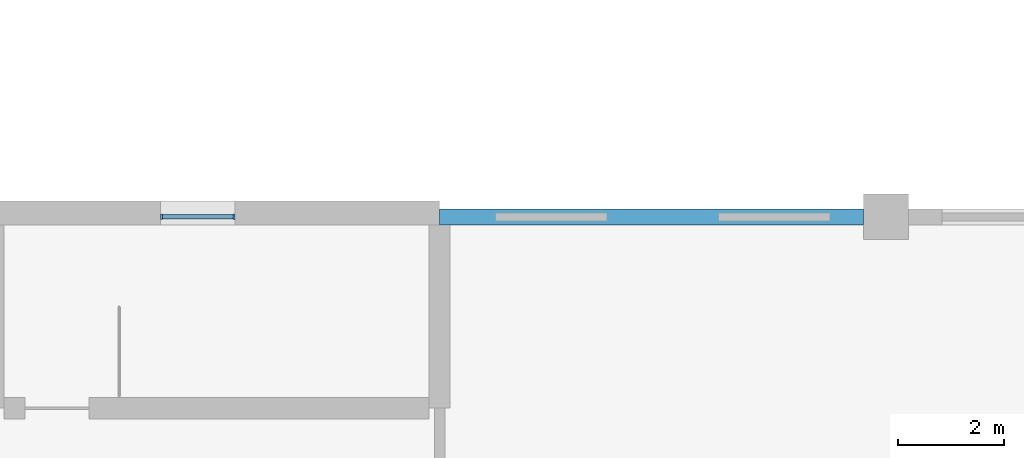
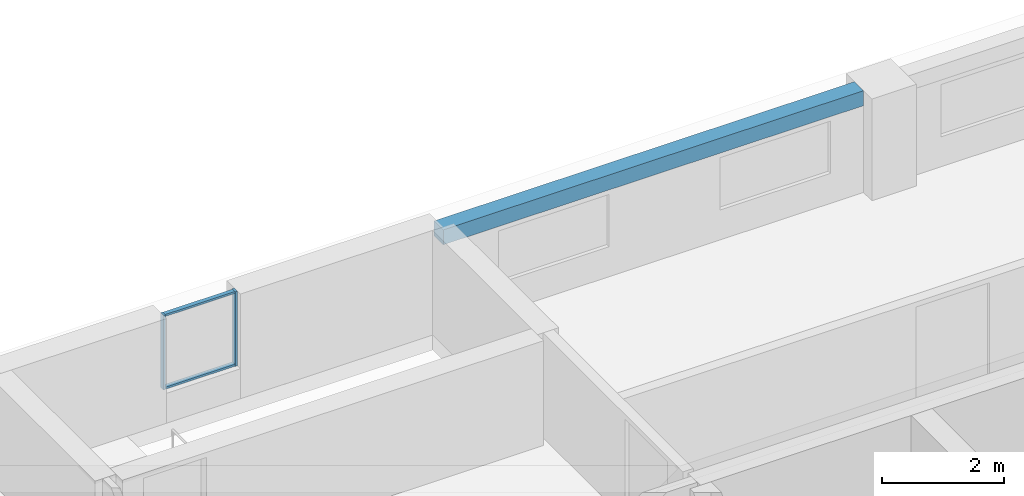
# One storey, part 12 of 48: 4 members, 1 beam, 1 element without a shape of its own.
"""IFC4 building model written with IfcOpenShell, lengths in metres."""

from ifc_helpers import new_model, si_unit, direction, frame, origin, origin_2d, place, context, subcontext, project, spatial, rectangle, extrude, material, material_profile, profile_set, type_object, element, aggregate, save


model = new_model("IFC4")

# Units and contexts
model_context = context("Model", 3, precision=1e-05, world=origin(), true_north=direction((0.0, 1.0)))
body_context = subcontext(model_context, "Body", "Model", "MODEL_VIEW")
ifc_project = project(units=[si_unit("LENGTHUNIT", "METRE"), si_unit("AREAUNIT", "SQUARE_METRE"), si_unit("VOLUMEUNIT", "CUBIC_METRE"), si_unit("PLANEANGLEUNIT", "RADIAN"), si_unit("MASSUNIT", "GRAM", prefix="KILO")], contexts=[model_context])

# Site, building, storey
site_placement = place(None, origin())
site = spatial("IfcSite", under=ifc_project, at=site_placement, CompositionType="ELEMENT")
building_placement = place(site_placement, origin())
building = spatial("IfcBuilding", under=site, at=building_placement, Name="Yavir Park General Hospital", CompositionType="ELEMENT")
storey_placement = place(building_placement, frame((0.0, 0.0, 12.89990234375)))
storey = spatial("IfcBuildingStorey", under=building, at=storey_placement, Name="I02", CompositionType="ELEMENT", Elevation=12.89990234375)

# Beam
ifc_material_1 = material(Name="Concrete C35/45", Category="concrete")
ifc_material_profile_1 = material_profile(ifc_material_1, rectangle(XDim=0.300048828125, YDim=0.300048828125, at=origin_2d()), Name="RC300x300")
ifc_profile_set_1 = profile_set([ifc_material_profile_1], Name="Concrete C35/45")
beam_type = type_object("IfcBeamType", Name="RC BEAM 300x300 edge beam", PredefinedType="BEAM", material=ifc_profile_set_1)
beam_placement = place(storey_placement, frame((117.60009765625, 33.60009765625, 1.89013671875), z_axis=(1.0, 0.0, 0.0), x_axis=(0.0, 1.0, 0.0)))
element("IfcBeam", 1, at=beam_placement, inside=storey, type_object=beam_type, Name="B:EDGE:I02:024", PredefinedType="BEAM", context=body_context, shape_type="SweptSolid", body=[
    extrude(rectangle(XDim=0.300048828125, YDim=0.300048828125, at=origin_2d()), origin(), (0.0, 0.0, 1.0), 7.974853515625),
])

# Curtain wall, members
ifc_material_2 = material(Name="Aluminium curtain wall frame with insulated glazing", Category="aluminium")
curtain_wall_type = type_object("IfcCurtainWallType", Name="Stair light slot, interstitial floor, 1500 high, 1400 module", PredefinedType="NOTDEFINED", material=ifc_material_2)
curtain_wall_placement = place(storey_placement, origin())
curtain_wall = element("IfcCurtainWall", 2, at=curtain_wall_placement, inside=storey, type_object=curtain_wall_type, Name="CW61 I02-006", PredefinedType="NOTDEFINED")
ifc_material_3 = material(Name="Aluminium", Category="aluminium")
ifc_material_profile_2 = material_profile(ifc_material_3, rectangle(XDim=0.10009765625, YDim=0.0400390625, at=origin_2d()), Name="AL 40x100")
ifc_profile_set_2 = profile_set([ifc_material_profile_2], Name="Aluminium")
member_type_1 = type_object("IfcMemberType", Name="Stair light slot, interstitial floor, 1500 high mullion 40 x 100", PredefinedType="MULLION", material=ifc_profile_set_2)
member_1_placement = place(storey_placement, frame((112.3701171875, 33.60009765625, 0.60009765625), z_axis=(0.0, 0.0, 1.0), x_axis=(0.0, 1.0, 0.0)))
member_1 = element("IfcMember", 3, at=member_1_placement, type_object=member_type_1, Name="CW61 mullion 1", PredefinedType="MULLION", context=body_context, shape_type="SweptSolid", body=[
    extrude(rectangle(XDim=0.10009765625, YDim=0.0400390625, at=origin_2d()), origin(), (0.0, 0.0, 1.0), 1.5),
])
member_2_placement = place(storey_placement, frame((113.72998046875, 33.60009765625, 0.60009765625), z_axis=(0.0, 0.0, 1.0), x_axis=(0.0, 1.0, 0.0)))
member_2 = element("IfcMember", 4, at=member_2_placement, type_object=member_type_1, Name="CW61 mullion 2", PredefinedType="MULLION", context=body_context, shape_type="SweptSolid", body=[
    extrude(rectangle(XDim=0.10009765625, YDim=0.0400390625, at=origin_2d()), origin(), (0.0, 0.0, 1.0), 1.5),
])
ifc_material_4 = material(Name="Aluminium", Category="aluminium")
ifc_material_profile_3 = material_profile(ifc_material_4, rectangle(XDim=0.080078125, YDim=0.0400390625, at=origin_2d()), Name="AL 80x40")
ifc_profile_set_3 = profile_set([ifc_material_profile_3], Name="Aluminium")
member_type_2 = type_object("IfcMemberType", Name="Stair light slot, interstitial floor, 1500 high transom 40 x 80", PredefinedType="MULLION", material=ifc_profile_set_3)
member_3_placement = place(storey_placement, frame((112.389892578125, 33.60009765625, 0.6201171875), z_axis=(1.0, 0.0, 0.0), x_axis=(0.0, 1.0, 0.0)))
member_3 = element("IfcMember", 5, at=member_3_placement, type_object=member_type_2, Name="CW61 transom 1.1", PredefinedType="MULLION", context=body_context, shape_type="SweptSolid", body=[
    extrude(rectangle(XDim=0.080078125, YDim=0.0400390625, at=origin_2d()), origin(), (0.0, 0.0, 1.0), 1.320068359375),
])
member_4_placement = place(storey_placement, frame((112.389892578125, 33.60009765625, 2.080078125), z_axis=(1.0, 0.0, 0.0), x_axis=(0.0, 1.0, 0.0)))
member_4 = element("IfcMember", 6, at=member_4_placement, type_object=member_type_2, Name="CW61 transom 1.2", PredefinedType="MULLION", context=body_context, shape_type="SweptSolid", body=[
    extrude(rectangle(XDim=0.080078125, YDim=0.0400390625, at=origin_2d()), origin(), (0.0, 0.0, 1.0), 1.320068359375),
])
aggregate(curtain_wall, [member_1, member_2, member_3, member_4])

save(model, "model.ifc")
